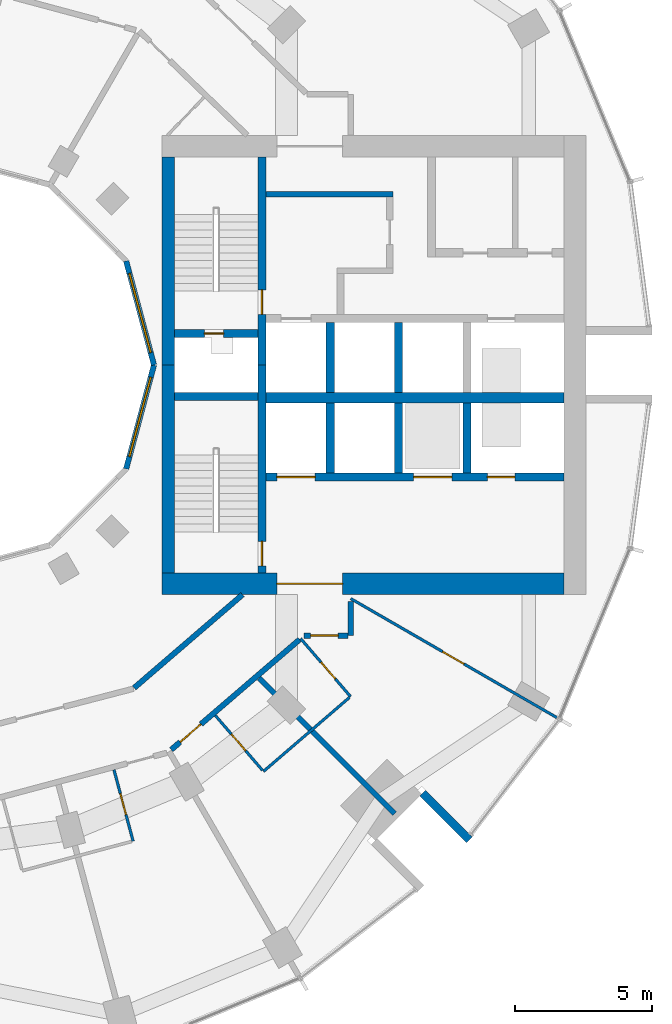
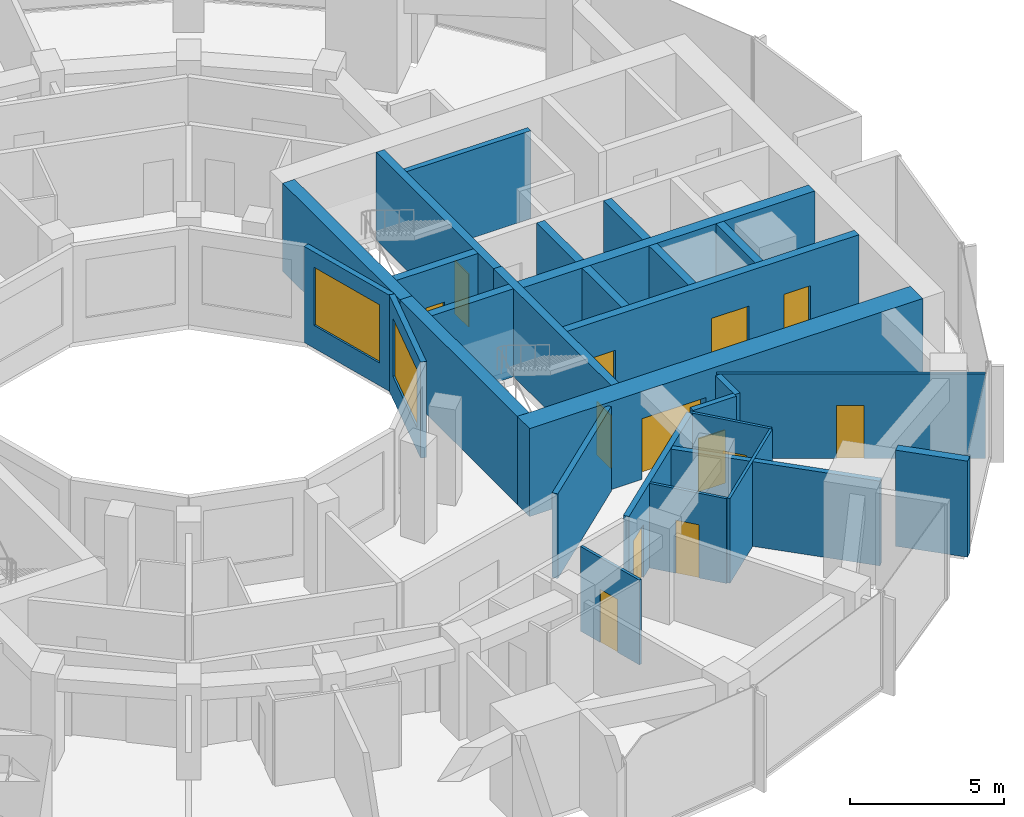
# One storey, part 10 of 15: 28 walls, 13 doors, 2 windows, 15 openings.
"""IFC4 building model written with IfcOpenShell, lengths in metres."""

from ifc_helpers import new_model, si_unit, direction, frame, frame_2d, origin, place, context, subcontext, project, spatial, rectangle, extrude, material, layer, layer_set, type_object, element, fill, save


model = new_model("IFC4")

# Units and contexts
model_context = context("Model", 3, precision=1e-05, world=origin(), true_north=direction((0.0, 1.0)))
body_context = subcontext(model_context, "Body", "Model", "MODEL_VIEW")
ifc_project = project(units=[si_unit("LENGTHUNIT", "METRE"), si_unit("AREAUNIT", "SQUARE_METRE"), si_unit("VOLUMEUNIT", "CUBIC_METRE"), si_unit("PLANEANGLEUNIT", "RADIAN"), si_unit("MASSUNIT", "GRAM", prefix="KILO")], contexts=[model_context])

# Site, building, storey
site_placement = place(None, origin())
site = spatial("IfcSite", under=ifc_project, at=site_placement, CompositionType="ELEMENT")
building_placement = place(site_placement, origin())
building = spatial("IfcBuilding", under=site, at=building_placement, Name="Torre Brocal", CompositionType="ELEMENT")
storey_placement = place(building_placement, frame((0.0, 0.0, 63.0)))
storey = spatial("IfcBuildingStorey", under=building, at=storey_placement, Name="L14", CompositionType="ELEMENT", Elevation=63.0)

# Wall
ifc_material_1 = material(Name="Concrete C80", Category="concrete")
ifc_layer_1 = layer(ifc_material_1, 0.199951171875)
ifc_layer_set_1 = layer_set([ifc_layer_1], Name="Concrete C80")
wall_type_1 = type_object("IfcWallType", Name="CORE WALL 200 C80", PredefinedType="SHEAR", material=ifc_layer_set_1)
wall_1_placement = place(storey_placement, frame((91.699951171875, 81.25, 0.0), z_axis=(0.0, 0.0, 1.0), x_axis=(1.0, 0.0, 0.0)))
element("IfcWall", 1, at=wall_1_placement, inside=storey, type_object=wall_type_1, Name="Wall CW200-80", PredefinedType="SHEAR", context=body_context, shape_type="SweptSolid", body=[
    extrude(rectangle(XDim=4.650146484375, YDim=0.199951171875, at=frame_2d((2.3251953125, 0.0))), origin(), (0.0, 0.0, 1.0), 3.47998046875),
])

# Wall, opening, door
ifc_material_2 = material(Name="Concrete C80", Category="concrete")
ifc_layer_2 = layer(ifc_material_2, 0.300048828125)
ifc_layer_set_2 = layer_set([ifc_layer_2], Name="Concrete C80")
wall_type_2 = type_object("IfcWallType", Name="CORE WALL 300 C80", PredefinedType="SHEAR", material=ifc_layer_set_2)
wall_2_placement = place(storey_placement, frame((91.550048828125, 75.0, 0.0), z_axis=(0.0, 0.0, 1.0), x_axis=(0.0, 1.0, 0.0)))
wall_2 = element("IfcWall", 2, at=wall_2_placement, inside=storey, type_object=wall_type_2, Name="Wall CW300-80", PredefinedType="SHEAR", context=body_context, shape_type="SweptSolid", body=[
    extrude(rectangle(XDim=7.60009765625, YDim=0.300048828125, at=frame_2d((3.800048828125, 0.0))), origin(), (0.0, 0.0, 1.0), 3.47998046875),
])
opening_1_placement = place(wall_2_placement, frame((1.85009765625, 0.0, 0.0)))
opening_1 = element("IfcOpeningElement", 3, at=opening_1_placement, cuts=wall_2, Name="Opening E-D02", PredefinedType="OPENING", context=body_context, shape_type="SweptSolid", body=[
    extrude(rectangle(XDim=0.89990234375, YDim=2.10009765625, at=frame_2d((0.449951171875, 1.050048828125))), frame((0.0, 0.159912109375, 0.0), z_axis=(0.0, -1.0, 0.0), x_axis=(1.0, 0.0, 0.0)), (0.0, 0.0, 1.0), 0.320068359375),
])
ifc_material_3 = material(Name="Steel A653", Category="steel")
door_type_1 = type_object("IfcDoorType", Name="STAIR DOOR FD120 900X2100", OperationType="SINGLE_SWING_RIGHT", PredefinedType="DOOR", material=ifc_material_3)
door_1_placement = place(opening_1_placement, origin())
door_1 = element("IfcDoor", 4, at=door_1_placement, inside=storey, type_object=door_type_1, Name="Door E-D02", OperationType="SINGLE_SWING_LEFT", OverallHeight=2.10009765625, OverallWidth=0.89990234375, PredefinedType="DOOR", context=body_context, shape_type="SweptSolid", body=[
    extrude(rectangle(XDim=0.89990234375, YDim=2.10009765625, at=frame_2d((0.449951171875, 1.050048828125))), frame((0.0, 0.02490234375, 0.0), z_axis=(0.0, -1.0, 0.0), x_axis=(1.0, 0.0, 0.0)), (0.0, 0.0, 1.0), 0.050048828125),
])
fill(opening_1, door_1)

wall_3_placement = place(storey_placement, frame((91.550048828125, 67.39990234375, 0.0), z_axis=(0.0, 0.0, 1.0), x_axis=(0.0, 1.0, 0.0)))
wall_3 = element("IfcWall", 5, at=wall_3_placement, inside=storey, type_object=wall_type_2, Name="Wall CW300-80", PredefinedType="SHEAR", context=body_context, shape_type="SweptSolid", body=[
    extrude(rectangle(XDim=7.60009765625, YDim=0.300048828125, at=frame_2d((3.800048828125, 0.0))), origin(), (0.0, 0.0, 1.0), 3.47998046875),
])
opening_2_placement = place(wall_3_placement, frame((0.25, 0.0, 0.0)))
opening_2 = element("IfcOpeningElement", 6, at=opening_2_placement, cuts=wall_3, Name="Opening E-D03", PredefinedType="OPENING", context=body_context, shape_type="SweptSolid", body=[
    extrude(rectangle(XDim=0.89990234375, YDim=2.10009765625, at=frame_2d((0.449951171875, 1.050048828125))), frame((0.0, 0.159912109375, 0.0), z_axis=(0.0, -1.0, 0.0), x_axis=(1.0, 0.0, 0.0)), (0.0, 0.0, 1.0), 0.320068359375),
])
door_2_placement = place(opening_2_placement, origin())
door_2 = element("IfcDoor", 7, at=door_2_placement, inside=storey, type_object=door_type_1, Name="Door E-D03", OperationType="SINGLE_SWING_LEFT", OverallHeight=2.10009765625, OverallWidth=0.89990234375, PredefinedType="DOOR", context=body_context, shape_type="SweptSolid", body=[
    extrude(rectangle(XDim=0.89990234375, YDim=2.10009765625, at=frame_2d((0.449951171875, 1.050048828125))), frame((0.0, 0.02490234375, 0.0), z_axis=(0.0, -1.0, 0.0), x_axis=(1.0, 0.0, 0.0)), (0.0, 0.0, 1.0), 0.050048828125),
])
fill(opening_2, door_2)

wall_4_placement = place(storey_placement, frame((88.35009765625, 76.14990234375, 0.0), z_axis=(0.0, 0.0, 1.0), x_axis=(1.0, 0.0, 0.0)))
wall_4 = element("IfcWall", 8, at=wall_4_placement, inside=storey, type_object=wall_type_2, Name="Wall CW300-80", PredefinedType="SHEAR", context=body_context, shape_type="SweptSolid", body=[
    extrude(rectangle(XDim=3.0498046875, YDim=0.300048828125, at=frame_2d((1.52490234375, 0.0))), origin(), (0.0, 0.0, 1.0), 3.47998046875),
])
opening_3_placement = place(wall_4_placement, frame((1.10009765625, 0.0, 0.0)))
opening_3 = element("IfcOpeningElement", 9, at=opening_3_placement, cuts=wall_4, Name="Opening E-D01", PredefinedType="OPENING", context=body_context, shape_type="SweptSolid", body=[
    extrude(rectangle(XDim=0.699951171875, YDim=2.0, at=frame_2d((0.35009765625, 1.0))), frame((0.0, 0.159912109375, 0.0), z_axis=(0.0, -1.0, 0.0), x_axis=(1.0, 0.0, 0.0)), (0.0, 0.0, 1.0), 0.320068359375),
])
ifc_material_4 = material(Name="Steel A653", Category="steel")
door_type_2 = type_object("IfcDoorType", Name="RISER DOOR FD120 700X2000", OperationType="SINGLE_SWING_LEFT", PredefinedType="DOOR", material=ifc_material_4)
door_3_placement = place(opening_3_placement, frame((0.699951171875, 0.0, 0.0), z_axis=(0.0, 0.0, 1.0), x_axis=(-1.0, 0.0, 0.0)))
door_3 = element("IfcDoor", 10, at=door_3_placement, inside=storey, type_object=door_type_2, Name="Door E-D01", OperationType="SINGLE_SWING_RIGHT", OverallHeight=2.0, OverallWidth=0.699951171875, PredefinedType="DOOR", context=body_context, shape_type="SweptSolid", body=[
    extrude(rectangle(XDim=0.699951171875, YDim=2.0, at=frame_2d((0.35009765625, 1.0))), frame((0.0, 0.02490234375, 0.0), z_axis=(0.0, -1.0, 0.0), x_axis=(1.0, 0.0, 0.0)), (0.0, 0.0, 1.0), 0.050048828125),
])
fill(opening_3, door_3)

# Wall
wall_5_placement = place(storey_placement, frame((88.35009765625, 73.85009765625, 0.0), z_axis=(0.0, 0.0, 1.0), x_axis=(1.0, 0.0, 0.0)))
element("IfcWall", 11, at=wall_5_placement, inside=storey, type_object=wall_type_2, Name="Wall CW300-80", PredefinedType="SHEAR", context=body_context, shape_type="SweptSolid", body=[
    extrude(rectangle(XDim=3.0498046875, YDim=0.300048828125, at=frame_2d((1.52490234375, 0.0))), origin(), (0.0, 0.0, 1.0), 3.47998046875),
])

# Wall, openings, doors
wall_6_placement = place(storey_placement, frame((91.699951171875, 70.89990234375, 0.0), z_axis=(0.0, 0.0, 1.0), x_axis=(1.0, 0.0, 0.0)))
wall_6 = element("IfcWall", 12, at=wall_6_placement, inside=storey, type_object=wall_type_2, Name="Wall CW300-80", PredefinedType="SHEAR", context=body_context, shape_type="SweptSolid", body=[
    extrude(rectangle(XDim=10.900146484375, YDim=0.300048828125, at=frame_2d((5.4501953125, 0.0))), origin(), (0.0, 0.0, 1.0), 3.47998046875),
])
opening_4_placement = place(wall_6_placement, frame((0.39990234375, 0.0, 0.0)))
opening_4 = element("IfcOpeningElement", 13, at=opening_4_placement, cuts=wall_6, Name="Opening LD14", PredefinedType="OPENING", context=body_context, shape_type="SweptSolid", body=[
    extrude(rectangle(XDim=1.39990234375, YDim=2.10009765625, at=frame_2d((0.699951171875, 1.050048828125))), frame((0.0, 0.159912109375, 0.0), z_axis=(0.0, -1.0, 0.0), x_axis=(1.0, 0.0, 0.0)), (0.0, 0.0, 1.0), 0.320068359375),
])
opening_5_placement = place(wall_6_placement, frame((5.39990234375, 0.0, 0.0)))
opening_5 = element("IfcOpeningElement", 14, at=opening_5_placement, cuts=wall_6, Name="Opening LD14", PredefinedType="OPENING", context=body_context, shape_type="SweptSolid", body=[
    extrude(rectangle(XDim=1.39990234375, YDim=2.10009765625, at=frame_2d((0.699951171875, 1.050048828125))), frame((0.0, 0.159912109375, 0.0), z_axis=(0.0, -1.0, 0.0), x_axis=(1.0, 0.0, 0.0)), (0.0, 0.0, 1.0), 0.320068359375),
])
opening_6_placement = place(wall_6_placement, frame((8.10009765625, 0.0, 0.0)))
opening_6 = element("IfcOpeningElement", 15, at=opening_6_placement, cuts=wall_6, Name="Opening LD10", PredefinedType="OPENING", context=body_context, shape_type="SweptSolid", body=[
    extrude(rectangle(XDim=1.0, YDim=2.10009765625, at=frame_2d((0.5, 1.050048828125))), frame((0.0, 0.159912109375, 0.0), z_axis=(0.0, -1.0, 0.0), x_axis=(1.0, 0.0, 0.0)), (0.0, 0.0, 1.0), 0.320068359375),
])
ifc_material_5 = material(Name="Stainless steel AISI 316", Category="steel")
door_type_3 = type_object("IfcDoorType", Name="LIFT LANDING DOOR 1000X2100", OperationType="DOUBLE_DOOR_SLIDING", PredefinedType="DOOR", material=ifc_material_5)
door_4_placement = place(opening_6_placement, origin())
door_4 = element("IfcDoor", 16, at=door_4_placement, inside=storey, type_object=door_type_3, Name="Door LD10", OperationType="DOUBLE_DOOR_SLIDING", OverallHeight=2.10009765625, OverallWidth=1.0, PredefinedType="DOOR", context=body_context, shape_type="SweptSolid", body=[
    extrude(rectangle(XDim=1.0, YDim=2.10009765625, at=frame_2d((0.5, 1.050048828125))), frame((0.0, 0.02490234375, 0.0), z_axis=(0.0, -1.0, 0.0), x_axis=(1.0, 0.0, 0.0)), (0.0, 0.0, 1.0), 0.050048828125),
])
fill(opening_6, door_4)
ifc_material_6 = material(Name="Stainless steel AISI 316", Category="steel")
door_type_4 = type_object("IfcDoorType", Name="LIFT LANDING DOOR 1400X2100", OperationType="DOUBLE_DOOR_SLIDING", PredefinedType="DOOR", material=ifc_material_6)
door_5_placement = place(opening_4_placement, origin())
door_5 = element("IfcDoor", 17, at=door_5_placement, inside=storey, type_object=door_type_4, Name="Door LD14", OperationType="DOUBLE_DOOR_SLIDING", OverallHeight=2.10009765625, OverallWidth=1.39990234375, PredefinedType="DOOR", context=body_context, shape_type="SweptSolid", body=[
    extrude(rectangle(XDim=1.39990234375, YDim=2.10009765625, at=frame_2d((0.699951171875, 1.050048828125))), frame((0.0, 0.02490234375, 0.0), z_axis=(0.0, -1.0, 0.0), x_axis=(1.0, 0.0, 0.0)), (0.0, 0.0, 1.0), 0.050048828125),
])
fill(opening_4, door_5)
door_6_placement = place(opening_5_placement, origin())
door_6 = element("IfcDoor", 18, at=door_6_placement, inside=storey, type_object=door_type_4, Name="Door LD14", OperationType="DOUBLE_DOOR_SLIDING", OverallHeight=2.10009765625, OverallWidth=1.39990234375, PredefinedType="DOOR", context=body_context, shape_type="SweptSolid", body=[
    extrude(rectangle(XDim=1.39990234375, YDim=2.10009765625, at=frame_2d((0.699951171875, 1.050048828125))), frame((0.0, 0.02490234375, 0.0), z_axis=(0.0, -1.0, 0.0), x_axis=(1.0, 0.0, 0.0)), (0.0, 0.0, 1.0), 0.050048828125),
])
fill(opening_5, door_6)

# Walls
for number, where, z_axis, x_axis, name in (
    (19, (94.050048828125, 74.0, 0.0), (0.0, 0.0, 1.0), (0.0, 1.0, 0.0), "Wall CW300-80"),
    (20, (96.550048828125, 74.0, 0.0), (0.0, 0.0, 1.0), (0.0, 1.0, 0.0), "Wall CW300-80"),
    (21, (94.050048828125, 71.050048828125, 0.0), (0.0, 0.0, 1.0), (0.0, 1.0, 0.0), "Wall CW300-80"),
    (22, (96.550048828125, 71.050048828125, 0.0), (0.0, 0.0, 1.0), (0.0, 1.0, 0.0), "Wall CW300-80"),
    (23, (99.050048828125, 71.050048828125, 0.0), (0.0, 0.0, 1.0), (0.0, 1.0, 0.0), "Wall CW300-80"),
):
    element("IfcWall", number, at=place(storey_placement, frame(where, z_axis=z_axis, x_axis=x_axis)), inside=storey, type_object=wall_type_2, Name=name, PredefinedType="SHEAR", context=body_context, shape_type="SweptSolid", body=[
        extrude(rectangle(XDim=2.550048828125, YDim=0.300048828125, at=frame_2d((1.27490234375, 0.0))), origin(), (0.0, 0.0, 1.0), 3.47998046875),
    ])
ifc_material_7 = material(Name="Concrete C80", Category="concrete")
ifc_layer_3 = layer(ifc_material_7, 0.39990234375)
ifc_layer_set_3 = layer_set([ifc_layer_3], Name="Concrete C80")
wall_type_3 = type_object("IfcWallType", Name="CORE WALL 400 C80", PredefinedType="SHEAR", material=ifc_layer_set_3)
wall_7_placement = place(storey_placement, frame((91.699951171875, 73.800048828125, 0.0), z_axis=(0.0, 0.0, 1.0), x_axis=(1.0, 0.0, 0.0)))
element("IfcWall", 24, at=wall_7_placement, inside=storey, type_object=wall_type_3, Name="Wall CW400-80", PredefinedType="SHEAR", context=body_context, shape_type="SweptSolid", body=[
    extrude(rectangle(XDim=10.900146484375, YDim=0.39990234375, at=frame_2d((5.4501953125, 0.0))), origin(), (0.0, 0.0, 1.0), 3.47998046875),
])
ifc_material_8 = material(Name="Concrete C80", Category="concrete")
ifc_layer_4 = layer(ifc_material_8, 0.449951171875)
ifc_layer_set_4 = layer_set([ifc_layer_4], Name="Concrete C80")
wall_type_4 = type_object("IfcWallType", Name="CORE WALL 450 C80", PredefinedType="SHEAR", material=ifc_layer_set_4)
for number, where, z_axis, x_axis, name in (
    (25, (88.125, 75.0, 0.0), (0.0, 0.0, 1.0), (0.0, 1.0, 0.0), "Wall CW450-80"),
    (26, (88.125, 67.39990234375, 0.0), (0.0, 0.0, 1.0), (0.0, 1.0, 0.0), "Wall CW450-80"),
):
    element("IfcWall", number, at=place(storey_placement, frame(where, z_axis=z_axis, x_axis=x_axis)), inside=storey, type_object=wall_type_4, Name=name, PredefinedType="SHEAR", context=body_context, shape_type="SweptSolid", body=[
        extrude(rectangle(XDim=7.60009765625, YDim=0.449951171875, at=frame_2d((3.800048828125, 0.0))), origin(), (0.0, 0.0, 1.0), 3.47998046875),
    ])

# Wall, opening, door
ifc_material_9 = material(Name="Concrete C80", Category="concrete")
ifc_layer_5 = layer(ifc_material_9, 0.800048828125)
ifc_layer_set_5 = layer_set([ifc_layer_5], Name="Concrete C80")
wall_type_5 = type_object("IfcWallType", Name="CORE WALL 800 C80", PredefinedType="SHEAR", material=ifc_layer_set_5)
wall_8_placement = place(storey_placement, frame((87.89990234375, 67.0, 0.0), z_axis=(0.0, 0.0, 1.0), x_axis=(1.0, 0.0, 0.0)))
wall_8 = element("IfcWall", 27, at=wall_8_placement, inside=storey, type_object=wall_type_5, Name="Wall CW800-80", PredefinedType="SHEAR", context=body_context, shape_type="SweptSolid", body=[
    extrude(rectangle(XDim=14.7001953125, YDim=0.800048828125, at=frame_2d((7.35009765625, 0.0))), origin(), (0.0, 0.0, 1.0), 3.47998046875),
])
opening_7_placement = place(wall_8_placement, frame((4.199951171875, 0.0, 0.0)))
opening_7 = element("IfcOpeningElement", 28, at=opening_7_placement, cuts=wall_8, Name="Opening E-D27", PredefinedType="OPENING", context=body_context, shape_type="SweptSolid", body=[
    extrude(rectangle(XDim=2.39990234375, YDim=2.39990234375, at=frame_2d((1.199951171875, 1.199951171875))), frame((0.0, 0.409912109375, 0.0), z_axis=(0.0, -1.0, 0.0), x_axis=(1.0, 0.0, 0.0)), (0.0, 0.0, 1.0), 0.820068359375),
])
ifc_material_10 = material(Name="Steel A653", Category="steel")
door_type_5 = type_object("IfcDoorType", Name="DOUBLE FIRE DOOR FD90 2400X2400", OperationType="DOUBLE_DOOR_SINGLE_SWING", PredefinedType="DOOR", material=ifc_material_10)
door_7_placement = place(opening_7_placement, origin())
door_7 = element("IfcDoor", 29, at=door_7_placement, inside=storey, type_object=door_type_5, Name="Door E-D27", OperationType="DOUBLE_DOOR_SINGLE_SWING", OverallHeight=2.39990234375, OverallWidth=2.39990234375, PredefinedType="DOOR", context=body_context, shape_type="SweptSolid", body=[
    extrude(rectangle(XDim=2.39990234375, YDim=2.39990234375, at=frame_2d((1.199951171875, 1.199951171875))), frame((0.0, 0.02490234375, 0.0), z_axis=(0.0, -1.0, 0.0), x_axis=(1.0, 0.0, 0.0)), (0.0, 0.0, 1.0), 0.050048828125),
])
fill(opening_7, door_7)

# Wall
ifc_material_11 = material(Name="Concrete C80", Category="concrete")
ifc_layer_6 = layer(ifc_material_11, 0.300048828125)
ifc_layer_set_6 = layer_set([ifc_layer_6], Name="Concrete C80")
wall_type_6 = type_object("IfcWallType", Name="NOTCH RETURN WALL 300 C80", PredefinedType="NOTDEFINED", material=ifc_layer_set_6)
wall_9_placement = place(storey_placement, frame((97.43017578125, 59.337646484375, 0.0), z_axis=(0.0, 0.0, 1.0), x_axis=(0.707106781187, -0.707106781187, 0.0)))
element("IfcWall", 30, at=wall_9_placement, inside=storey, type_object=wall_type_6, Name="NOTCH RETURN WALL", PredefinedType="NOTDEFINED", context=body_context, shape_type="SweptSolid", body=[
    extrude(rectangle(XDim=2.415771484375, YDim=0.300048828125, at=frame_2d((1.2080078125, 0.0))), origin(), (0.0, 0.0, 1.0), 3.800048828125),
])

# Wall, opening, door
ifc_material_12 = material(Name="Gypsum board", Category="Gypsum")
ifc_layer_7 = layer(ifc_material_12, 0.10009765625)
ifc_layer_set_7 = layer_set([ifc_layer_7], Name="Gypsum board")
wall_type_7 = type_object("IfcWallType", Name="PARTITION 100", PredefinedType="PARTITIONING", material=ifc_layer_set_7)
wall_10_placement = place(storey_placement, frame((86.139892578125, 60.196044921875, 0.0), z_axis=(0.0, 0.0, 1.0), x_axis=(0.258945475746, -0.965891940432, 0.0)))
wall_10 = element("IfcWall", 31, at=wall_10_placement, inside=storey, type_object=wall_type_7, Name="BATHROOM WALL", PredefinedType="PARTITIONING", context=body_context, shape_type="SweptSolid", body=[
    extrude(rectangle(XDim=2.7001953125, YDim=0.10009765625, at=frame_2d((1.35009765625, 0.0))), origin(), (0.0, 0.0, 1.0), 3.35009765625),
])
opening_8_placement = place(wall_10_placement, frame((0.89990234375, 0.0, 0.0)))
opening_8 = element("IfcOpeningElement", 32, at=opening_8_placement, cuts=wall_10, Name="Opening H04-D26", PredefinedType="OPENING", context=body_context, shape_type="SweptSolid", body=[
    extrude(rectangle(XDim=0.800048828125, YDim=2.10009765625, at=frame_2d((0.39990234375, 1.050048828125))), frame((0.0, 0.06005859375, 0.0), z_axis=(0.0, -1.0, 0.0), x_axis=(1.0, 0.0, 0.0)), (0.0, 0.0, 1.0), 0.1201171875),
])
ifc_material_13 = material(Name="Timber", Category="wood")
door_type_6 = type_object("IfcDoorType", Name="BATHROOM DOOR 800X2100", OperationType="SINGLE_SWING_LEFT", PredefinedType="DOOR", material=ifc_material_13)
door_8_placement = place(opening_8_placement, frame((0.800048828125, 0.0, 0.0), z_axis=(0.0, 0.0, 1.0), x_axis=(-1.0, 0.0, 0.0)))
door_8 = element("IfcDoor", 33, at=door_8_placement, inside=storey, type_object=door_type_6, Name="H04-D26", OperationType="SINGLE_SWING_RIGHT", OverallHeight=2.10009765625, OverallWidth=0.800048828125, PredefinedType="DOOR", context=body_context, shape_type="SweptSolid", body=[
    extrude(rectangle(XDim=0.800048828125, YDim=2.10009765625, at=frame_2d((0.39990234375, 1.050048828125))), frame((0.0, 0.02490234375, 0.0), z_axis=(0.0, -1.0, 0.0), x_axis=(1.0, 0.0, 0.0)), (0.0, 0.0, 1.0), 0.050048828125),
])
fill(opening_8, door_8)

wall_11_placement = place(storey_placement, frame((89.846435546875, 62.181884765625, 0.0), z_axis=(0.0, 0.0, 1.0), x_axis=(0.652095405055, -0.758136915541, 0.0)))
wall_11 = element("IfcWall", 34, at=wall_11_placement, inside=storey, type_object=wall_type_7, Name="BATHROOM WALL", PredefinedType="PARTITIONING", context=body_context, shape_type="SweptSolid", body=[
    extrude(rectangle(XDim=2.64990234375, YDim=0.10009765625, at=frame_2d((1.324951171875, 0.0))), origin(), (0.0, 0.0, 1.0), 3.35009765625),
])
opening_9_placement = place(wall_11_placement, frame((0.899658203125, 0.0, 0.0)))
opening_9 = element("IfcOpeningElement", 35, at=opening_9_placement, cuts=wall_11, Name="Opening H04-D24", PredefinedType="OPENING", context=body_context, shape_type="SweptSolid", body=[
    extrude(rectangle(XDim=0.800048828125, YDim=2.10009765625, at=frame_2d((0.39990234375, 1.050048828125))), frame((0.0, 0.06005859375, 0.0), z_axis=(0.0, -1.0, 0.0), x_axis=(1.0, 0.0, 0.0)), (0.0, 0.0, 1.0), 0.1201171875),
])
door_9_placement = place(opening_9_placement, origin())
door_9 = element("IfcDoor", 36, at=door_9_placement, inside=storey, type_object=door_type_6, Name="H04-D24", OperationType="SINGLE_SWING_LEFT", OverallHeight=2.10009765625, OverallWidth=0.800048828125, PredefinedType="DOOR", context=body_context, shape_type="SweptSolid", body=[
    extrude(rectangle(XDim=0.800048828125, YDim=2.10009765625, at=frame_2d((0.39990234375, 1.050048828125))), frame((0.0, 0.02490234375, 0.0), z_axis=(0.0, -1.0, 0.0), x_axis=(1.0, 0.0, 0.0)), (0.0, 0.0, 1.0), 0.050048828125),
])
fill(opening_9, door_9)

# Wall
wall_12_placement = place(storey_placement, frame((91.60693359375, 60.135009765625, 0.0), z_axis=(0.0, 0.0, 1.0), x_axis=(0.758121792225, 0.65211298726, 0.0)))
element("IfcWall", 37, at=wall_12_placement, inside=storey, type_object=wall_type_7, Name="BATHROOM WALL", PredefinedType="PARTITIONING", context=body_context, shape_type="SweptSolid", body=[
    extrude(rectangle(XDim=4.150146484375, YDim=0.10009765625, at=frame_2d((2.0751953125, 0.0))), origin(), (0.0, 0.0, 1.0), 3.35009765625),
])

# Wall, opening, door
wall_13_placement = place(storey_placement, frame((92.965087890625, 64.996826171875, 0.0), z_axis=(0.0, 0.0, 1.0), x_axis=(0.652104424393, -0.758129157655, 0.0)))
wall_13 = element("IfcWall", 38, at=wall_13_placement, inside=storey, type_object=wall_type_7, Name="BATHROOM WALL", PredefinedType="PARTITIONING", context=body_context, shape_type="SweptSolid", body=[
    extrude(rectangle(XDim=2.800048828125, YDim=0.10009765625, at=frame_2d((1.39990234375, 0.0))), origin(), (0.0, 0.0, 1.0), 3.35009765625),
])
opening_10_placement = place(wall_13_placement, frame((1.14990234375, 0.0, 0.0)))
opening_10 = element("IfcOpeningElement", 39, at=opening_10_placement, cuts=wall_13, Name="Opening H04-D21", PredefinedType="OPENING", context=body_context, shape_type="SweptSolid", body=[
    extrude(rectangle(XDim=0.800048828125, YDim=2.10009765625, at=frame_2d((0.39990234375, 1.050048828125))), frame((0.0, 0.06005859375, 0.0), z_axis=(0.0, -1.0, 0.0), x_axis=(1.0, 0.0, 0.0)), (0.0, 0.0, 1.0), 0.1201171875),
])
door_10_placement = place(opening_10_placement, frame((0.800048828125, 0.0, 0.0), z_axis=(0.0, 0.0, 1.0), x_axis=(-1.0, 0.0, 0.0)))
door_10 = element("IfcDoor", 40, at=door_10_placement, inside=storey, type_object=door_type_6, Name="H04-D21", OperationType="SINGLE_SWING_LEFT", OverallHeight=2.10009765625, OverallWidth=0.800048828125, PredefinedType="DOOR", context=body_context, shape_type="SweptSolid", body=[
    extrude(rectangle(XDim=0.800048828125, YDim=2.10009765625, at=frame_2d((0.39990234375, 1.050048828125))), frame((0.0, 0.02490234375, 0.0), z_axis=(0.0, -1.0, 0.0), x_axis=(1.0, 0.0, 0.0)), (0.0, 0.0, 1.0), 0.050048828125),
])
fill(opening_10, door_10)

wall_14_placement = place(storey_placement, frame((94.800048828125, 66.455078125, 0.0), z_axis=(0.0, 0.0, 1.0), x_axis=(0.86602264145, -0.500004784474, 0.0)))
wall_14 = element("IfcWall", 41, at=wall_14_placement, inside=storey, type_object=wall_type_7, Name="ROOM PARTITION", PredefinedType="PARTITIONING", context=body_context, shape_type="SweptSolid", body=[
    extrude(rectangle(XDim=8.7080078125, YDim=0.10009765625, at=frame_2d((4.35400390625, 0.0))), origin(), (0.0, 0.0, 1.0), 3.35009765625),
])
opening_11_placement = place(wall_14_placement, frame((3.87890625, 0.0, 0.0)))
opening_11 = element("IfcOpeningElement", 42, at=opening_11_placement, cuts=wall_14, Name="Opening H04-D22", PredefinedType="OPENING", context=body_context, shape_type="SweptSolid", body=[
    extrude(rectangle(XDim=0.89990234375, YDim=2.10009765625, at=frame_2d((0.449951171875, 1.050048828125))), frame((0.0, 0.06005859375, 0.0), z_axis=(0.0, -1.0, 0.0), x_axis=(1.0, 0.0, 0.0)), (0.0, 0.0, 1.0), 0.1201171875),
])
ifc_material_14 = material(Name="Timber", Category="wood")
door_type_7 = type_object("IfcDoorType", Name="ROOM DOOR 900X2100", OperationType="SINGLE_SWING_LEFT", PredefinedType="DOOR", material=ifc_material_14)
door_11_placement = place(opening_11_placement, origin())
door_11 = element("IfcDoor", 43, at=door_11_placement, inside=storey, type_object=door_type_7, Name="H04-D22", OperationType="SINGLE_SWING_LEFT", OverallHeight=2.10009765625, OverallWidth=0.89990234375, PredefinedType="DOOR", context=body_context, shape_type="SweptSolid", body=[
    extrude(rectangle(XDim=0.89990234375, YDim=2.10009765625, at=frame_2d((0.449951171875, 1.050048828125))), frame((0.0, 0.02490234375, 0.0), z_axis=(0.0, -1.0, 0.0), x_axis=(1.0, 0.0, 0.0)), (0.0, 0.0, 1.0), 0.050048828125),
])
fill(opening_11, door_11)

# Wall
ifc_material_15 = material(Name="Gypsum board", Category="Gypsum")
ifc_layer_8 = layer(ifc_material_15, 0.199951171875)
ifc_layer_set_8 = layer_set([ifc_layer_8], Name="Gypsum board")
wall_type_8 = type_object("IfcWallType", Name="PARTITION 200 EI60", PredefinedType="PARTITIONING", material=ifc_layer_set_8)
wall_15_placement = place(storey_placement, frame((86.876953125, 63.18896484375, 0.0), z_axis=(0.0, 0.0, 1.0), x_axis=(0.758088707506, 0.652151448325, 0.0)))
element("IfcWall", 44, at=wall_15_placement, inside=storey, type_object=wall_type_8, Name="GUESTROOM CORRIDOR WALL", PredefinedType="PARTITIONING", context=body_context, shape_type="SweptSolid", body=[
    extrude(rectangle(XDim=5.22900390625, YDim=0.199951171875, at=frame_2d((2.614501953125, 0.0))), origin(), (0.0, 0.0, 1.0), 3.35009765625),
])

# Wall, opening, door
wall_16_placement = place(storey_placement, frame((88.234619140625, 60.931396484375, 0.0), z_axis=(0.0, 0.0, 1.0), x_axis=(0.758799498714, 0.651324282329, 0.0)))
wall_16 = element("IfcWall", 45, at=wall_16_placement, inside=storey, type_object=wall_type_8, Name="GUESTROOM CORRIDOR WALL", PredefinedType="PARTITIONING", context=body_context, shape_type="SweptSolid", body=[
    extrude(rectangle(XDim=6.185546875, YDim=0.199951171875, at=frame_2d((3.0927734375, 0.0))), origin(), (0.0, 0.0, 1.0), 3.35009765625),
])
opening_12_placement = place(wall_16_placement, frame((0.430419921875, 0.0, 0.0)))
opening_12 = element("IfcOpeningElement", 46, at=opening_12_placement, cuts=wall_16, Name="Opening H04-D23", PredefinedType="OPENING", context=body_context, shape_type="SweptSolid", body=[
    extrude(rectangle(XDim=1.0, YDim=2.10009765625, at=frame_2d((0.5, 1.050048828125))), frame((0.0, 0.10986328125, 0.0), z_axis=(0.0, -1.0, 0.0), x_axis=(1.0, 0.0, 0.0)), (0.0, 0.0, 1.0), 0.219970703125),
])
ifc_material_16 = material(Name="Timber", Category="wood")
door_type_8 = type_object("IfcDoorType", Name="FLAT ENTRY DOOR FD30S 1000X2100", OperationType="SINGLE_SWING_RIGHT", PredefinedType="DOOR", material=ifc_material_16)
door_12_placement = place(opening_12_placement, frame((1.0, 0.0, 0.0), z_axis=(0.0, 0.0, 1.0), x_axis=(-1.0, 0.0, 0.0)))
door_12 = element("IfcDoor", 47, at=door_12_placement, inside=storey, type_object=door_type_8, Name="H04-D23", OperationType="SINGLE_SWING_RIGHT", OverallHeight=2.10009765625, OverallWidth=1.0, PredefinedType="DOOR", context=body_context, shape_type="SweptSolid", body=[
    extrude(rectangle(XDim=1.0, YDim=2.10009765625, at=frame_2d((0.5, 1.050048828125))), frame((0.0, 0.02490234375, 0.0), z_axis=(0.0, -1.0, 0.0), x_axis=(1.0, 0.0, 0.0)), (0.0, 0.0, 1.0), 0.050048828125),
])
fill(opening_12, door_12)

# Wall
wall_17_placement = place(storey_placement, frame((91.4482421875, 63.546875, 0.0), z_axis=(0.0, 0.0, 1.0), x_axis=(0.706984810649, -0.707228730688, 0.0)))
element("IfcWall", 48, at=wall_17_placement, inside=storey, type_object=wall_type_8, Name="BATHROOM WALL", PredefinedType="PARTITIONING", context=body_context, shape_type="SweptSolid", body=[
    extrude(rectangle(XDim=7.00634765625, YDim=0.199951171875, at=frame_2d((3.503173828125, 0.0))), origin(), (0.0, 0.0, 1.0), 3.35009765625),
])

# Wall, opening, door
wall_18_placement = place(storey_placement, frame((93.0849609375, 65.10009765625, 0.0), z_axis=(0.0, 0.0, 1.0), x_axis=(1.0, 0.0, 0.0)))
wall_18 = element("IfcWall", 49, at=wall_18_placement, inside=storey, type_object=wall_type_8, Name="GUESTROOM CORRIDOR WALL", PredefinedType="PARTITIONING", context=body_context, shape_type="SweptSolid", body=[
    extrude(rectangle(XDim=1.614990234375, YDim=0.199951171875, at=frame_2d((0.8076171875, 0.0))), origin(), (0.0, 0.0, 1.0), 3.35009765625),
])
opening_13_placement = place(wall_18_placement, frame((0.25, 0.0, 0.0)))
opening_13 = element("IfcOpeningElement", 50, at=opening_13_placement, cuts=wall_18, Name="Opening H04-D20", PredefinedType="OPENING", context=body_context, shape_type="SweptSolid", body=[
    extrude(rectangle(XDim=1.0, YDim=2.10009765625, at=frame_2d((0.5, 1.050048828125))), frame((0.0, 0.10986328125, 0.0), z_axis=(0.0, -1.0, 0.0), x_axis=(1.0, 0.0, 0.0)), (0.0, 0.0, 1.0), 0.219970703125),
])
door_13_placement = place(opening_13_placement, frame((1.0, 0.0, 0.0), z_axis=(0.0, 0.0, 1.0), x_axis=(-1.0, 0.0, 0.0)))
door_13 = element("IfcDoor", 51, at=door_13_placement, inside=storey, type_object=door_type_8, Name="H04-D20", OperationType="SINGLE_SWING_LEFT", OverallHeight=2.10009765625, OverallWidth=1.0, PredefinedType="DOOR", context=body_context, shape_type="SweptSolid", body=[
    extrude(rectangle(XDim=1.0, YDim=2.10009765625, at=frame_2d((0.5, 1.050048828125))), frame((0.0, 0.02490234375, 0.0), z_axis=(0.0, -1.0, 0.0), x_axis=(1.0, 0.0, 0.0)), (0.0, 0.0, 1.0), 0.050048828125),
])
fill(opening_13, door_13)

# Wall
wall_19_placement = place(storey_placement, frame((94.800048828125, 65.10009765625, 0.0), z_axis=(0.0, 0.0, 1.0), x_axis=(0.0, 1.0, 0.0)))
element("IfcWall", 52, at=wall_19_placement, inside=storey, type_object=wall_type_8, Name="GUESTROOM CORRIDOR WALL", PredefinedType="PARTITIONING", context=body_context, shape_type="SweptSolid", body=[
    extrude(rectangle(XDim=1.25, YDim=0.199951171875, at=frame_2d((0.625, 0.0))), origin(), (0.0, 0.0, 1.0), 3.35009765625),
])

# Wall, opening, window
ifc_material_17 = material(Name="Concrete C40", Category="concrete")
ifc_layer_9 = layer(ifc_material_17, 0.199951171875)
ifc_layer_set_9 = layer_set([ifc_layer_9], Name="Concrete C40")
wall_type_9 = type_object("IfcWallType", Name="WELL FACADE WALL 200", PredefinedType="NOTDEFINED", material=ifc_layer_set_9)
wall_20_placement = place(storey_placement, frame((87.603515625, 75.0, 0.0), z_axis=(0.0, 0.0, 1.0), x_axis=(-0.258789828301, 0.965933654434, 0.0)))
wall_20 = element("IfcWall", 53, at=wall_20_placement, inside=storey, type_object=wall_type_9, Name="WELL FACADE WALL", PredefinedType="NOTDEFINED", context=body_context, shape_type="SweptSolid", body=[
    extrude(rectangle(XDim=3.935791015625, YDim=0.199951171875, at=frame_2d((1.9677734375, 0.0))), origin(), (0.0, 0.0, 1.0), 3.800048828125),
])
opening_14_placement = place(wall_20_placement, frame((0.468017578125, 0.0, 0.89990234375)))
opening_14 = element("IfcOpeningElement", 54, at=opening_14_placement, cuts=wall_20, Name="Opening W1", PredefinedType="OPENING", context=body_context, shape_type="SweptSolid", body=[
    extrude(rectangle(XDim=3.0, YDim=2.300048828125, at=frame_2d((1.5, 1.14990234375))), frame((0.0, 0.10986328125, 0.0), z_axis=(0.0, -1.0, 0.0), x_axis=(1.0, 0.0, 0.0)), (0.0, 0.0, 1.0), 0.219970703125),
])
ifc_material_18 = material(Name="Aluminium and glass", Category="aluminium")
window_type = type_object("IfcWindowType", Name="WELL WINDOW 3000X2300", PartitioningType="SINGLE_PANEL", PredefinedType="WINDOW", material=ifc_material_18)
window_1_placement = place(opening_14_placement, origin())
window_1 = element("IfcWindow", 55, at=window_1_placement, inside=storey, type_object=window_type, Name="WELL WINDOW 3000X2300", OverallHeight=2.300048828125, OverallWidth=3.0, PartitioningType="SINGLE_PANEL", PredefinedType="WINDOW", context=body_context, shape_type="SweptSolid", body=[
    extrude(rectangle(XDim=3.0, YDim=2.300048828125, at=frame_2d((1.5, 1.14990234375))), frame((0.0, 0.030029296875, 0.0), z_axis=(0.0, -1.0, 0.0), x_axis=(1.0, 0.0, 0.0)), (0.0, 0.0, 1.0), 0.06005859375),
])
fill(opening_14, window_1)

wall_21_placement = place(storey_placement, frame((86.5849609375, 71.1982421875, 0.0), z_axis=(0.0, 0.0, 1.0), x_axis=(0.258789828301, 0.965933654434, 0.0)))
wall_21 = element("IfcWall", 56, at=wall_21_placement, inside=storey, type_object=wall_type_9, Name="WELL FACADE WALL", PredefinedType="NOTDEFINED", context=body_context, shape_type="SweptSolid", body=[
    extrude(rectangle(XDim=3.935791015625, YDim=0.199951171875, at=frame_2d((1.9677734375, 0.0))), origin(), (0.0, 0.0, 1.0), 3.800048828125),
])
opening_15_placement = place(wall_21_placement, frame((0.468017578125, 0.0, 0.89990234375)))
opening_15 = element("IfcOpeningElement", 57, at=opening_15_placement, cuts=wall_21, Name="Opening W1", PredefinedType="OPENING", context=body_context, shape_type="SweptSolid", body=[
    extrude(rectangle(XDim=3.0, YDim=2.300048828125, at=frame_2d((1.5, 1.14990234375))), frame((0.0, 0.10986328125, 0.0), z_axis=(0.0, -1.0, 0.0), x_axis=(1.0, 0.0, 0.0)), (0.0, 0.0, 1.0), 0.219970703125),
])
window_2_placement = place(opening_15_placement, origin())
window_2 = element("IfcWindow", 58, at=window_2_placement, inside=storey, type_object=window_type, Name="WELL WINDOW 3000X2300", OverallHeight=2.300048828125, OverallWidth=3.0, PartitioningType="SINGLE_PANEL", PredefinedType="WINDOW", context=body_context, shape_type="SweptSolid", body=[
    extrude(rectangle(XDim=3.0, YDim=2.300048828125, at=frame_2d((1.5, 1.14990234375))), frame((0.0, 0.030029296875, 0.0), z_axis=(0.0, -1.0, 0.0), x_axis=(1.0, 0.0, 0.0)), (0.0, 0.0, 1.0), 0.06005859375),
])
fill(opening_15, window_2)

save(model, "model.ifc")
